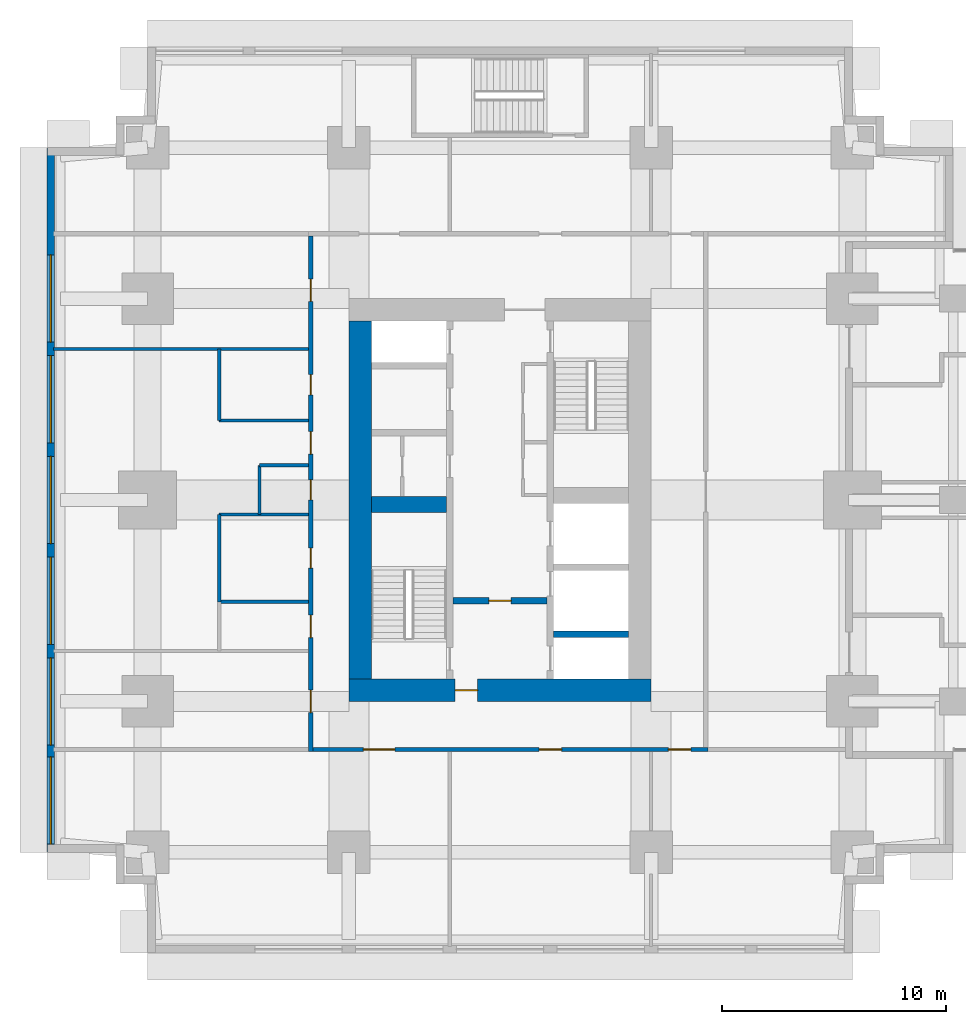
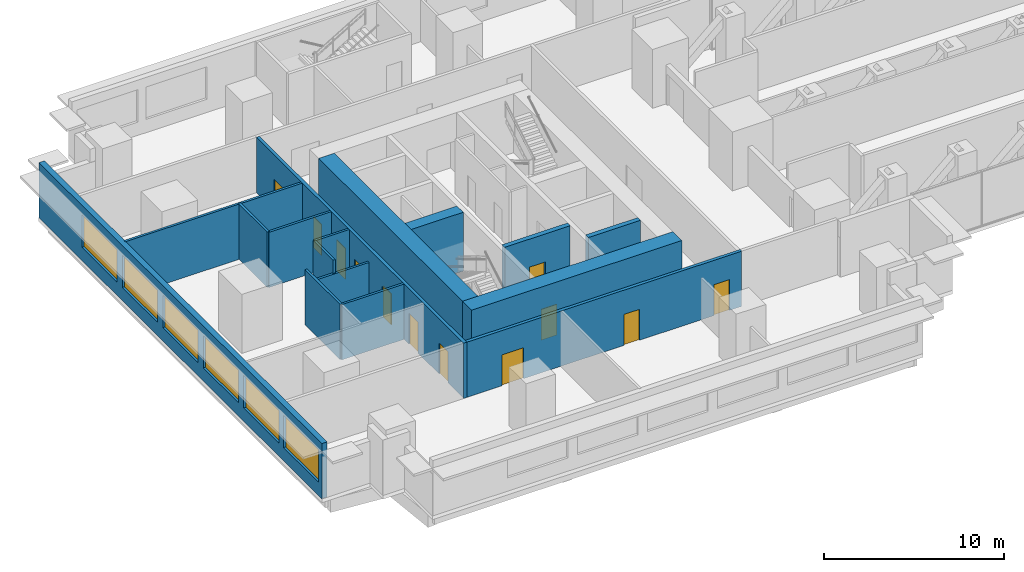
# One storey, part 7 of 16: 16 walls, 12 doors, 6 windows, 18 openings.
"""IFC4 building model written with IfcOpenShell, lengths in metres."""

from ifc_helpers import new_model, si_unit, direction, frame, frame_2d, origin, place, context, subcontext, project, spatial, rectangle, extrude, material, layer, layer_set, type_object, element, fill, save


model = new_model("IFC4")

# Units and contexts
model_context = context("Model", 3, precision=1e-05, world=origin(), true_north=direction((0.0, 1.0)))
body_context = subcontext(model_context, "Body", "Model", "MODEL_VIEW")
ifc_project = project(units=[si_unit("LENGTHUNIT", "METRE"), si_unit("AREAUNIT", "SQUARE_METRE"), si_unit("VOLUMEUNIT", "CUBIC_METRE"), si_unit("PLANEANGLEUNIT", "RADIAN"), si_unit("MASSUNIT", "GRAM", prefix="KILO")], contexts=[model_context])

# Site, building, storey
site_placement = place(None, origin())
site = spatial("IfcSite", under=ifc_project, at=site_placement, CompositionType="ELEMENT")
building_placement = place(site_placement, origin())
building = spatial("IfcBuilding", under=site, at=building_placement, Name="Namib Vertical Campus", CompositionType="ELEMENT")
storey_placement = place(building_placement, frame((0.0, 0.0, 125.0)))
storey = spatial("IfcBuildingStorey", under=building, at=storey_placement, Name="L29", CompositionType="ELEMENT", Elevation=125.0)

# Wall, opening, door
ifc_material_1 = material(Name="Concrete C60/75", Category="concrete")
ifc_layer_1 = layer(ifc_material_1, 0.300048828125)
ifc_layer_set_1 = layer_set([ifc_layer_1], Name="Concrete C60/75")
wall_type_1 = type_object("IfcWallType", Name="Core inner wall 300", PredefinedType="SHEAR", material=ifc_layer_set_1)
wall_1_placement = place(storey_placement, frame((18.14990234375, 15.75, 0.0), z_axis=(0.0, 0.0, 1.0), x_axis=(1.0, 0.0, 0.0)))
wall_1 = element("IfcWall", 1, at=wall_1_placement, inside=storey, type_object=wall_type_1, Name="Core inner wall A L29 W4", PredefinedType="SHEAR", context=body_context, shape_type="SweptSolid", body=[
    extrude(rectangle(XDim=4.2001953125, YDim=0.300048828125, at=frame_2d((2.10009765625, 0.0))), origin(), (0.0, 0.0, 1.0), 4.0),
])
opening_1_placement = place(wall_1_placement, frame((1.60009765625, 0.0, 0.0)))
opening_1 = element("IfcOpeningElement", 2, at=opening_1_placement, cuts=wall_1, Name="Opening FD5", PredefinedType="OPENING", context=body_context, shape_type="SweptSolid", body=[
    extrude(rectangle(XDim=1.0, YDim=2.10009765625, at=frame_2d((0.5, 1.050048828125))), frame((0.0, 0.159912109375, 0.0), z_axis=(0.0, -1.0, 0.0), x_axis=(1.0, 0.0, 0.0)), (0.0, 0.0, 1.0), 0.320068359375),
])
ifc_material_2 = material(Name="Steel fire door", Category="steel")
door_type_1 = type_object("IfcDoorType", Name="Fire door 1000x2100 120 min", OperationType="SINGLE_SWING_RIGHT", PredefinedType="DOOR", material=ifc_material_2)
door_1_placement = place(opening_1_placement, frame((1.0, 0.0, 0.0), z_axis=(0.0, 0.0, 1.0), x_axis=(-1.0, 0.0, 0.0)))
door_1 = element("IfcDoor", 3, at=door_1_placement, inside=storey, type_object=door_type_1, Name="Lobby door FD5 A L29", OperationType="SINGLE_SWING_RIGHT", OverallHeight=2.10009765625, OverallWidth=1.0, PredefinedType="DOOR", context=body_context, shape_type="SweptSolid", body=[
    extrude(rectangle(XDim=1.0, YDim=2.10009765625, at=frame_2d((0.5, 1.050048828125))), frame((0.0, 0.02490234375, 0.0), z_axis=(0.0, -1.0, 0.0), x_axis=(1.0, 0.0, 0.0)), (0.0, 0.0, 1.0), 0.050048828125),
])
fill(opening_1, door_1)

# Walls
wall_2_placement = place(storey_placement, frame((22.64990234375, 14.25, 0.0), z_axis=(0.0, 0.0, 1.0), x_axis=(1.0, 0.0, 0.0)))
element("IfcWall", 4, at=wall_2_placement, inside=storey, type_object=wall_type_1, Name="Core inner wall A L29 W5", PredefinedType="SHEAR", context=body_context, shape_type="SweptSolid", body=[
    extrude(rectangle(XDim=3.35009765625, YDim=0.300048828125, at=frame_2d((1.675048828125, 0.0))), origin(), (0.0, 0.0, 1.0), 4.0),
])
ifc_material_3 = material(Name="Concrete C60/75", Category="concrete")
ifc_layer_2 = layer(ifc_material_3, 0.699951171875)
ifc_layer_set_2 = layer_set([ifc_layer_2], Name="Concrete C60/75")
wall_type_2 = type_object("IfcWallType", Name="Core shear wall 700", PredefinedType="SHEAR", material=ifc_layer_set_2)
wall_3_placement = place(storey_placement, frame((14.5, 20.050048828125, 0.0), z_axis=(0.0, 0.0, 1.0), x_axis=(1.0, 0.0, 0.0)))
element("IfcWall", 5, at=wall_3_placement, inside=storey, type_object=wall_type_2, Name="Core shear wall A L29 W3", PredefinedType="SHEAR", context=body_context, shape_type="SweptSolid", body=[
    extrude(rectangle(XDim=3.35009765625, YDim=0.699951171875, at=frame_2d((1.675048828125, 0.0))), origin(), (0.0, 0.0, 1.0), 4.0),
])

# Wall, opening, door
ifc_material_4 = material(Name="Concrete C60/75", Category="concrete")
ifc_layer_3 = layer(ifc_material_4, 1.0)
ifc_layer_set_3 = layer_set([ifc_layer_3], Name="Concrete C60/75")
wall_type_3 = type_object("IfcWallType", Name="Core wall 1000", PredefinedType="SHEAR", material=ifc_layer_set_3)
wall_4_placement = place(storey_placement, frame((13.5, 11.75, 0.0), z_axis=(0.0, 0.0, 1.0), x_axis=(1.0, 0.0, 0.0)))
wall_4 = element("IfcWall", 6, at=wall_4_placement, inside=storey, type_object=wall_type_3, Name="Core wall A L29 1", PredefinedType="SHEAR", context=body_context, shape_type="SweptSolid", body=[
    extrude(rectangle(XDim=13.5, YDim=1.0, at=frame_2d((6.75, 0.0))), origin(), (0.0, 0.0, 1.0), 4.0),
])
opening_2_placement = place(wall_4_placement, frame((4.75, 0.0, 0.0)))
opening_2 = element("IfcOpeningElement", 7, at=opening_2_placement, cuts=wall_4, Name="Opening FD5", PredefinedType="OPENING", context=body_context, shape_type="SweptSolid", body=[
    extrude(rectangle(XDim=1.0, YDim=2.10009765625, at=frame_2d((0.5, 1.050048828125))), frame((0.0, 0.510009765625, 0.0), z_axis=(0.0, -1.0, 0.0), x_axis=(1.0, 0.0, 0.0)), (0.0, 0.0, 1.0), 1.02001953125),
])
door_2_placement = place(opening_2_placement, origin())
door_2 = element("IfcDoor", 8, at=door_2_placement, inside=storey, type_object=door_type_1, Name="Firefighting lobby door FD5 A L29", OperationType="SINGLE_SWING_LEFT", OverallHeight=2.10009765625, OverallWidth=1.0, PredefinedType="DOOR", context=body_context, shape_type="SweptSolid", body=[
    extrude(rectangle(XDim=1.0, YDim=2.10009765625, at=frame_2d((0.5, 1.050048828125))), frame((0.0, 0.02490234375, 0.0), z_axis=(0.0, -1.0, 0.0), x_axis=(1.0, 0.0, 0.0)), (0.0, 0.0, 1.0), 0.050048828125),
])
fill(opening_2, door_2)

# Wall
wall_5_placement = place(storey_placement, frame((14.0, 28.25, 0.0), z_axis=(0.0, 0.0, 1.0), x_axis=(0.0, -1.0, 0.0)))
element("IfcWall", 9, at=wall_5_placement, inside=storey, type_object=wall_type_3, Name="Core wall A L29 4", PredefinedType="SHEAR", context=body_context, shape_type="SweptSolid", body=[
    extrude(rectangle(XDim=16.0, YDim=1.0, at=frame_2d((8.0, 0.0))), origin(), (0.0, 0.0, 1.0), 4.0),
])

# Wall, openings, doors
ifc_material_5 = material(Name="Concrete masonry", Category="masonry")
ifc_layer_4 = layer(ifc_material_5, 0.199951171875)
ifc_layer_set_4 = layer_set([ifc_layer_4], Name="Corridor wall 200")
wall_type_4 = type_object("IfcWallType", Name="Corridor wall 200", PredefinedType="SOLIDWALL", material=ifc_layer_set_4)
wall_6_placement = place(storey_placement, frame((11.89990234375, 9.10009765625, 0.0), z_axis=(0.0, 0.0, 1.0), x_axis=(1.0, 0.0, 0.0)))
wall_6 = element("IfcWall", 10, at=wall_6_placement, inside=storey, type_object=wall_type_4, Name="Corridor wall A L29 CS", PredefinedType="SOLIDWALL", context=body_context, shape_type="SweptSolid", body=[
    extrude(rectangle(XDim=17.650146484375, YDim=0.199951171875, at=frame_2d((8.8251953125, 0.0))), origin(), (0.0, 0.0, 1.0), 3.75),
])
opening_3_placement = place(wall_6_placement, frame((2.25, 0.0, 0.0)))
opening_3 = element("IfcOpeningElement", 11, at=opening_3_placement, cuts=wall_6, Name="Opening LB1", PredefinedType="OPENING", context=body_context, shape_type="SweptSolid", body=[
    extrude(rectangle(XDim=1.39990234375, YDim=2.10009765625, at=frame_2d((0.699951171875, 1.050048828125))), frame((0.0, 0.10986328125, 0.0), z_axis=(0.0, -1.0, 0.0), x_axis=(1.0, 0.0, 0.0)), (0.0, 0.0, 1.0), 0.219970703125),
])
opening_4_placement = place(wall_6_placement, frame((10.10009765625, 0.0, 0.0)))
opening_4 = element("IfcOpeningElement", 12, at=opening_4_placement, cuts=wall_6, Name="Opening CD1", PredefinedType="OPENING", context=body_context, shape_type="SweptSolid", body=[
    extrude(rectangle(XDim=1.0, YDim=2.10009765625, at=frame_2d((0.5, 1.050048828125))), frame((0.0, 0.10986328125, 0.0), z_axis=(0.0, -1.0, 0.0), x_axis=(1.0, 0.0, 0.0)), (0.0, 0.0, 1.0), 0.219970703125),
])
opening_5_placement = place(wall_6_placement, frame((15.875, 0.0, 0.0)))
opening_5 = element("IfcOpeningElement", 13, at=opening_5_placement, cuts=wall_6, Name="Opening CD1", PredefinedType="OPENING", context=body_context, shape_type="SweptSolid", body=[
    extrude(rectangle(XDim=1.0, YDim=2.10009765625, at=frame_2d((0.5, 1.050048828125))), frame((0.0, 0.10986328125, 0.0), z_axis=(0.0, -1.0, 0.0), x_axis=(1.0, 0.0, 0.0)), (0.0, 0.0, 1.0), 0.219970703125),
])
ifc_material_6 = material(Name="Timber fire door leaf", Category="wood")
door_type_2 = type_object("IfcDoorType", Name="Corridor door 1000x2100 20 min", OperationType="SINGLE_SWING_LEFT", PredefinedType="DOOR", material=ifc_material_6)
door_3_placement = place(opening_4_placement, frame((1.0, 0.0, 0.0), z_axis=(0.0, 0.0, 1.0), x_axis=(-1.0, 0.0, 0.0)))
door_3 = element("IfcDoor", 14, at=door_3_placement, inside=storey, type_object=door_type_2, Name="Door CD1 A29-02", OperationType="SINGLE_SWING_RIGHT", OverallHeight=2.10009765625, OverallWidth=1.0, PredefinedType="DOOR", context=body_context, shape_type="SweptSolid", body=[
    extrude(rectangle(XDim=1.0, YDim=2.10009765625, at=frame_2d((0.5, 1.050048828125))), frame((0.0, 0.02490234375, 0.0), z_axis=(0.0, -1.0, 0.0), x_axis=(1.0, 0.0, 0.0)), (0.0, 0.0, 1.0), 0.050048828125),
])
fill(opening_4, door_3)
door_4_placement = place(opening_5_placement, frame((1.0, 0.0, 0.0), z_axis=(0.0, 0.0, 1.0), x_axis=(-1.0, 0.0, 0.0)))
door_4 = element("IfcDoor", 15, at=door_4_placement, inside=storey, type_object=door_type_2, Name="Door CD1 A29-03", OperationType="SINGLE_SWING_RIGHT", OverallHeight=2.10009765625, OverallWidth=1.0, PredefinedType="DOOR", context=body_context, shape_type="SweptSolid", body=[
    extrude(rectangle(XDim=1.0, YDim=2.10009765625, at=frame_2d((0.5, 1.050048828125))), frame((0.0, 0.02490234375, 0.0), z_axis=(0.0, -1.0, 0.0), x_axis=(1.0, 0.0, 0.0)), (0.0, 0.0, 1.0), 0.050048828125),
])
fill(opening_5, door_4)
ifc_material_7 = material(Name="Timber fire door leaf", Category="wood")
door_type_3 = type_object("IfcDoorType", Name="Laboratory door 1400x2100 leaf and a half", OperationType="DOUBLE_DOOR_SINGLE_SWING", PredefinedType="DOOR", material=ifc_material_7)
door_5_placement = place(opening_3_placement, frame((1.39990234375, 0.0, 0.0), z_axis=(0.0, 0.0, 1.0), x_axis=(-1.0, 0.0, 0.0)))
door_5 = element("IfcDoor", 16, at=door_5_placement, inside=storey, type_object=door_type_3, Name="Door LB1 A29-01", OperationType="DOUBLE_DOOR_SINGLE_SWING", OverallHeight=2.10009765625, OverallWidth=1.39990234375, PredefinedType="DOOR", context=body_context, shape_type="SweptSolid", body=[
    extrude(rectangle(XDim=1.39990234375, YDim=2.10009765625, at=frame_2d((0.699951171875, 1.050048828125))), frame((0.0, 0.02490234375, 0.0), z_axis=(0.0, -1.0, 0.0), x_axis=(1.0, 0.0, 0.0)), (0.0, 0.0, 1.0), 0.050048828125),
])
fill(opening_3, door_5)

wall_7_placement = place(storey_placement, frame((11.800048828125, 32.050048828125, 0.0), z_axis=(0.0, 0.0, 1.0), x_axis=(0.0, -1.0, 0.0)))
wall_7 = element("IfcWall", 17, at=wall_7_placement, inside=storey, type_object=wall_type_4, Name="Corridor wall A L29 CW", PredefinedType="SOLIDWALL", context=body_context, shape_type="SweptSolid", body=[
    extrude(rectangle(XDim=23.050048828125, YDim=0.199951171875, at=frame_2d((11.52490234375, 0.0))), origin(), (0.0, 0.0, 1.0), 3.75),
])
opening_6_placement = place(wall_7_placement, frame((20.300048828125, 0.0, 0.0)))
opening_6 = element("IfcOpeningElement", 18, at=opening_6_placement, cuts=wall_7, Name="Opening CD1", PredefinedType="OPENING", context=body_context, shape_type="SweptSolid", body=[
    extrude(rectangle(XDim=1.0, YDim=2.10009765625, at=frame_2d((0.5, 1.050048828125))), frame((0.0, 0.10986328125, 0.0), z_axis=(0.0, -1.0, 0.0), x_axis=(1.0, 0.0, 0.0)), (0.0, 0.0, 1.0), 0.219970703125),
])
opening_7_placement = place(wall_7_placement, frame((16.949951171875, 0.0, 0.0)))
opening_7 = element("IfcOpeningElement", 19, at=opening_7_placement, cuts=wall_7, Name="Opening CD1", PredefinedType="OPENING", context=body_context, shape_type="SweptSolid", body=[
    extrude(rectangle(XDim=1.0, YDim=2.10009765625, at=frame_2d((0.5, 1.050048828125))), frame((0.0, 0.10986328125, 0.0), z_axis=(0.0, -1.0, 0.0), x_axis=(1.0, 0.0, 0.0)), (0.0, 0.0, 1.0), 0.219970703125),
])
opening_8_placement = place(wall_7_placement, frame((13.949951171875, 0.0, 0.0)))
opening_8 = element("IfcOpeningElement", 20, at=opening_8_placement, cuts=wall_7, Name="Opening CD3", PredefinedType="OPENING", context=body_context, shape_type="SweptSolid", body=[
    extrude(rectangle(XDim=0.89990234375, YDim=2.10009765625, at=frame_2d((0.449951171875, 1.050048828125))), frame((0.0, 0.10986328125, 0.0), z_axis=(0.0, -1.0, 0.0), x_axis=(1.0, 0.0, 0.0)), (0.0, 0.0, 1.0), 0.219970703125),
])
opening_9_placement = place(wall_7_placement, frame((10.89990234375, 0.0, 0.0)))
opening_9 = element("IfcOpeningElement", 21, at=opening_9_placement, cuts=wall_7, Name="Opening CD3", PredefinedType="OPENING", context=body_context, shape_type="SweptSolid", body=[
    extrude(rectangle(XDim=0.89990234375, YDim=2.10009765625, at=frame_2d((0.449951171875, 1.050048828125))), frame((0.0, 0.10986328125, 0.0), z_axis=(0.0, -1.0, 0.0), x_axis=(1.0, 0.0, 0.0)), (0.0, 0.0, 1.0), 0.219970703125),
])
opening_10_placement = place(wall_7_placement, frame((6.199951171875, 0.0, 0.0)))
opening_10 = element("IfcOpeningElement", 22, at=opening_10_placement, cuts=wall_7, Name="Opening CD3", PredefinedType="OPENING", context=body_context, shape_type="SweptSolid", body=[
    extrude(rectangle(XDim=0.89990234375, YDim=2.10009765625, at=frame_2d((0.449951171875, 1.050048828125))), frame((0.0, 0.10986328125, 0.0), z_axis=(0.0, -1.0, 0.0), x_axis=(1.0, 0.0, 0.0)), (0.0, 0.0, 1.0), 0.219970703125),
])
opening_11_placement = place(wall_7_placement, frame((8.75, 0.0, 0.0)))
opening_11 = element("IfcOpeningElement", 23, at=opening_11_placement, cuts=wall_7, Name="Opening CD1", PredefinedType="OPENING", context=body_context, shape_type="SweptSolid", body=[
    extrude(rectangle(XDim=1.0, YDim=2.10009765625, at=frame_2d((0.5, 1.050048828125))), frame((0.0, 0.10986328125, 0.0), z_axis=(0.0, -1.0, 0.0), x_axis=(1.0, 0.0, 0.0)), (0.0, 0.0, 1.0), 0.219970703125),
])
opening_12_placement = place(wall_7_placement, frame((1.925048828125, 0.0, 0.0)))
opening_12 = element("IfcOpeningElement", 24, at=opening_12_placement, cuts=wall_7, Name="Opening CD1", PredefinedType="OPENING", context=body_context, shape_type="SweptSolid", body=[
    extrude(rectangle(XDim=1.0, YDim=2.10009765625, at=frame_2d((0.5, 1.050048828125))), frame((0.0, 0.10986328125, 0.0), z_axis=(0.0, -1.0, 0.0), x_axis=(1.0, 0.0, 0.0)), (0.0, 0.0, 1.0), 0.219970703125),
])
door_6_placement = place(opening_6_placement, frame((1.0, 0.0, 0.0), z_axis=(0.0, 0.0, 1.0), x_axis=(-1.0, 0.0, 0.0)))
door_6 = element("IfcDoor", 25, at=door_6_placement, inside=storey, type_object=door_type_2, Name="Door CD1 A29-08", OperationType="SINGLE_SWING_RIGHT", OverallHeight=2.10009765625, OverallWidth=1.0, PredefinedType="DOOR", context=body_context, shape_type="SweptSolid", body=[
    extrude(rectangle(XDim=1.0, YDim=2.10009765625, at=frame_2d((0.5, 1.050048828125))), frame((0.0, 0.02490234375, 0.0), z_axis=(0.0, -1.0, 0.0), x_axis=(1.0, 0.0, 0.0)), (0.0, 0.0, 1.0), 0.050048828125),
])
fill(opening_6, door_6)
door_7_placement = place(opening_7_placement, frame((1.0, 0.0, 0.0), z_axis=(0.0, 0.0, 1.0), x_axis=(-1.0, 0.0, 0.0)))
door_7 = element("IfcDoor", 26, at=door_7_placement, inside=storey, type_object=door_type_2, Name="Door CD1 A29-09", OperationType="SINGLE_SWING_RIGHT", OverallHeight=2.10009765625, OverallWidth=1.0, PredefinedType="DOOR", context=body_context, shape_type="SweptSolid", body=[
    extrude(rectangle(XDim=1.0, YDim=2.10009765625, at=frame_2d((0.5, 1.050048828125))), frame((0.0, 0.02490234375, 0.0), z_axis=(0.0, -1.0, 0.0), x_axis=(1.0, 0.0, 0.0)), (0.0, 0.0, 1.0), 0.050048828125),
])
fill(opening_7, door_7)
door_8_placement = place(opening_11_placement, frame((1.0, 0.0, 0.0), z_axis=(0.0, 0.0, 1.0), x_axis=(-1.0, 0.0, 0.0)))
door_8 = element("IfcDoor", 27, at=door_8_placement, inside=storey, type_object=door_type_2, Name="Door CD1 A29-13", OperationType="SINGLE_SWING_RIGHT", OverallHeight=2.10009765625, OverallWidth=1.0, PredefinedType="DOOR", context=body_context, shape_type="SweptSolid", body=[
    extrude(rectangle(XDim=1.0, YDim=2.10009765625, at=frame_2d((0.5, 1.050048828125))), frame((0.0, 0.02490234375, 0.0), z_axis=(0.0, -1.0, 0.0), x_axis=(1.0, 0.0, 0.0)), (0.0, 0.0, 1.0), 0.050048828125),
])
fill(opening_11, door_8)
door_9_placement = place(opening_12_placement, frame((1.0, 0.0, 0.0), z_axis=(0.0, 0.0, 1.0), x_axis=(-1.0, 0.0, 0.0)))
door_9 = element("IfcDoor", 28, at=door_9_placement, inside=storey, type_object=door_type_2, Name="Door CD1 A29-14", OperationType="SINGLE_SWING_RIGHT", OverallHeight=2.10009765625, OverallWidth=1.0, PredefinedType="DOOR", context=body_context, shape_type="SweptSolid", body=[
    extrude(rectangle(XDim=1.0, YDim=2.10009765625, at=frame_2d((0.5, 1.050048828125))), frame((0.0, 0.02490234375, 0.0), z_axis=(0.0, -1.0, 0.0), x_axis=(1.0, 0.0, 0.0)), (0.0, 0.0, 1.0), 0.050048828125),
])
fill(opening_12, door_9)
ifc_material_8 = material(Name="Timber fire door leaf", Category="wood")
door_type_4 = type_object("IfcDoorType", Name="Corridor toilet door 900x2100 20 min", OperationType="SINGLE_SWING_LEFT", PredefinedType="DOOR", material=ifc_material_8)
door_10_placement = place(opening_8_placement, frame((0.89990234375, 0.0, 0.0), z_axis=(0.0, 0.0, 1.0), x_axis=(-1.0, 0.0, 0.0)))
door_10 = element("IfcDoor", 29, at=door_10_placement, inside=storey, type_object=door_type_4, Name="Door CD3 A29-10", OperationType="SINGLE_SWING_RIGHT", OverallHeight=2.10009765625, OverallWidth=0.89990234375, PredefinedType="DOOR", context=body_context, shape_type="SweptSolid", body=[
    extrude(rectangle(XDim=0.89990234375, YDim=2.10009765625, at=frame_2d((0.449951171875, 1.050048828125))), frame((0.0, 0.02490234375, 0.0), z_axis=(0.0, -1.0, 0.0), x_axis=(1.0, 0.0, 0.0)), (0.0, 0.0, 1.0), 0.050048828125),
])
fill(opening_8, door_10)
door_11_placement = place(opening_9_placement, frame((0.89990234375, 0.0, 0.0), z_axis=(0.0, 0.0, 1.0), x_axis=(-1.0, 0.0, 0.0)))
door_11 = element("IfcDoor", 30, at=door_11_placement, inside=storey, type_object=door_type_4, Name="Door CD3 A29-11", OperationType="SINGLE_SWING_RIGHT", OverallHeight=2.10009765625, OverallWidth=0.89990234375, PredefinedType="DOOR", context=body_context, shape_type="SweptSolid", body=[
    extrude(rectangle(XDim=0.89990234375, YDim=2.10009765625, at=frame_2d((0.449951171875, 1.050048828125))), frame((0.0, 0.02490234375, 0.0), z_axis=(0.0, -1.0, 0.0), x_axis=(1.0, 0.0, 0.0)), (0.0, 0.0, 1.0), 0.050048828125),
])
fill(opening_9, door_11)
door_12_placement = place(opening_10_placement, frame((0.89990234375, 0.0, 0.0), z_axis=(0.0, 0.0, 1.0), x_axis=(-1.0, 0.0, 0.0)))
door_12 = element("IfcDoor", 31, at=door_12_placement, inside=storey, type_object=door_type_4, Name="Door CD3 A29-12", OperationType="SINGLE_SWING_RIGHT", OverallHeight=2.10009765625, OverallWidth=0.89990234375, PredefinedType="DOOR", context=body_context, shape_type="SweptSolid", body=[
    extrude(rectangle(XDim=0.89990234375, YDim=2.10009765625, at=frame_2d((0.449951171875, 1.050048828125))), frame((0.0, 0.02490234375, 0.0), z_axis=(0.0, -1.0, 0.0), x_axis=(1.0, 0.0, 0.0)), (0.0, 0.0, 1.0), 0.050048828125),
])
fill(opening_10, door_12)

# Wall, openings, windows
ifc_material_9 = material(Name="Concrete C40/50", Category="concrete")
ifc_layer_5 = layer(ifc_material_9, 0.35009765625)
ifc_layer_set_5 = layer_set([ifc_layer_5], Name="Concrete C40/50")
wall_type_5 = type_object("IfcWallType", Name="External wall 350 bush-hammered concrete", PredefinedType="STANDARD", material=ifc_layer_set_5)
wall_8_placement = place(storey_placement, frame((0.175048828125, 35.97998046875, 0.0), z_axis=(0.0, 0.0, 1.0), x_axis=(0.0, -1.0, 0.0)))
wall_8 = element("IfcWall", 32, at=wall_8_placement, inside=storey, type_object=wall_type_5, Name="External wall L29 F21", PredefinedType="STANDARD", context=body_context, shape_type="SweptSolid", body=[
    extrude(rectangle(XDim=31.4599609375, YDim=0.35009765625, at=frame_2d((15.72998046875, 0.0))), origin(), (0.0, 0.0, 1.0), 3.75),
])
opening_13_placement = place(wall_8_placement, frame((27.2099609375, 0.0, 0.89990234375)))
opening_13 = element("IfcOpeningElement", 33, at=opening_13_placement, cuts=wall_8, Name="Opening W1", PredefinedType="OPENING", context=body_context, shape_type="SweptSolid", body=[
    extrude(rectangle(XDim=3.89990234375, YDim=2.199951171875, at=frame_2d((1.949951171875, 1.10009765625))), frame((0.0, 0.18505859375, 0.0), z_axis=(0.0, -1.0, 0.0), x_axis=(1.0, 0.0, 0.0)), (0.0, 0.0, 1.0), 0.3701171875),
])
opening_14_placement = place(wall_8_placement, frame((22.780029296875, 0.0, 0.89990234375)))
opening_14 = element("IfcOpeningElement", 34, at=opening_14_placement, cuts=wall_8, Name="Opening W1", PredefinedType="OPENING", context=body_context, shape_type="SweptSolid", body=[
    extrude(rectangle(XDim=3.89990234375, YDim=2.199951171875, at=frame_2d((1.949951171875, 1.10009765625))), frame((0.0, 0.18505859375, 0.0), z_axis=(0.0, -1.0, 0.0), x_axis=(1.0, 0.0, 0.0)), (0.0, 0.0, 1.0), 0.3701171875),
])
opening_15_placement = place(wall_8_placement, frame((18.280029296875, 0.0, 0.89990234375)))
opening_15 = element("IfcOpeningElement", 35, at=opening_15_placement, cuts=wall_8, Name="Opening W1", PredefinedType="OPENING", context=body_context, shape_type="SweptSolid", body=[
    extrude(rectangle(XDim=3.89990234375, YDim=2.199951171875, at=frame_2d((1.949951171875, 1.10009765625))), frame((0.0, 0.18505859375, 0.0), z_axis=(0.0, -1.0, 0.0), x_axis=(1.0, 0.0, 0.0)), (0.0, 0.0, 1.0), 0.3701171875),
])
opening_16_placement = place(wall_8_placement, frame((13.780029296875, 0.0, 0.89990234375)))
opening_16 = element("IfcOpeningElement", 36, at=opening_16_placement, cuts=wall_8, Name="Opening W1", PredefinedType="OPENING", context=body_context, shape_type="SweptSolid", body=[
    extrude(rectangle(XDim=3.89990234375, YDim=2.199951171875, at=frame_2d((1.949951171875, 1.10009765625))), frame((0.0, 0.18505859375, 0.0), z_axis=(0.0, -1.0, 0.0), x_axis=(1.0, 0.0, 0.0)), (0.0, 0.0, 1.0), 0.3701171875),
])
opening_17_placement = place(wall_8_placement, frame((9.280029296875, 0.0, 0.89990234375)))
opening_17 = element("IfcOpeningElement", 37, at=opening_17_placement, cuts=wall_8, Name="Opening W1", PredefinedType="OPENING", context=body_context, shape_type="SweptSolid", body=[
    extrude(rectangle(XDim=3.89990234375, YDim=2.199951171875, at=frame_2d((1.949951171875, 1.10009765625))), frame((0.0, 0.18505859375, 0.0), z_axis=(0.0, -1.0, 0.0), x_axis=(1.0, 0.0, 0.0)), (0.0, 0.0, 1.0), 0.3701171875),
])
opening_18_placement = place(wall_8_placement, frame((4.780029296875, 0.0, 0.89990234375)))
opening_18 = element("IfcOpeningElement", 38, at=opening_18_placement, cuts=wall_8, Name="Opening W1", PredefinedType="OPENING", context=body_context, shape_type="SweptSolid", body=[
    extrude(rectangle(XDim=3.89990234375, YDim=2.199951171875, at=frame_2d((1.949951171875, 1.10009765625))), frame((0.0, 0.18505859375, 0.0), z_axis=(0.0, -1.0, 0.0), x_axis=(1.0, 0.0, 0.0)), (0.0, 0.0, 1.0), 0.3701171875),
])
ifc_material_10 = material(Name="Dark tinted glass in black aluminium frame", Category="aluminium")
window_type = type_object("IfcWindowType", Name="Ribbon window 3900x2200", PartitioningType="SINGLE_PANEL", PredefinedType="WINDOW", material=ifc_material_10)
window_1_placement = place(opening_13_placement, origin())
window_1 = element("IfcWindow", 39, at=window_1_placement, inside=storey, type_object=window_type, Name="Window W1 L29 F21-1", OverallHeight=2.199951171875, OverallWidth=3.89990234375, PartitioningType="SINGLE_PANEL", PredefinedType="WINDOW", context=body_context, shape_type="SweptSolid", body=[
    extrude(rectangle(XDim=3.89990234375, YDim=2.199951171875, at=frame_2d((1.949951171875, 1.10009765625))), frame((0.0, 0.030029296875, 0.0), z_axis=(0.0, -1.0, 0.0), x_axis=(1.0, 0.0, 0.0)), (0.0, 0.0, 1.0), 0.06005859375),
])
fill(opening_13, window_1)
window_2_placement = place(opening_14_placement, origin())
window_2 = element("IfcWindow", 40, at=window_2_placement, inside=storey, type_object=window_type, Name="Window W1 L29 F21-2", OverallHeight=2.199951171875, OverallWidth=3.89990234375, PartitioningType="SINGLE_PANEL", PredefinedType="WINDOW", context=body_context, shape_type="SweptSolid", body=[
    extrude(rectangle(XDim=3.89990234375, YDim=2.199951171875, at=frame_2d((1.949951171875, 1.10009765625))), frame((0.0, 0.030029296875, 0.0), z_axis=(0.0, -1.0, 0.0), x_axis=(1.0, 0.0, 0.0)), (0.0, 0.0, 1.0), 0.06005859375),
])
fill(opening_14, window_2)
window_3_placement = place(opening_15_placement, origin())
window_3 = element("IfcWindow", 41, at=window_3_placement, inside=storey, type_object=window_type, Name="Window W1 L29 F21-3", OverallHeight=2.199951171875, OverallWidth=3.89990234375, PartitioningType="SINGLE_PANEL", PredefinedType="WINDOW", context=body_context, shape_type="SweptSolid", body=[
    extrude(rectangle(XDim=3.89990234375, YDim=2.199951171875, at=frame_2d((1.949951171875, 1.10009765625))), frame((0.0, 0.030029296875, 0.0), z_axis=(0.0, -1.0, 0.0), x_axis=(1.0, 0.0, 0.0)), (0.0, 0.0, 1.0), 0.06005859375),
])
fill(opening_15, window_3)
window_4_placement = place(opening_16_placement, origin())
window_4 = element("IfcWindow", 42, at=window_4_placement, inside=storey, type_object=window_type, Name="Window W1 L29 F21-4", OverallHeight=2.199951171875, OverallWidth=3.89990234375, PartitioningType="SINGLE_PANEL", PredefinedType="WINDOW", context=body_context, shape_type="SweptSolid", body=[
    extrude(rectangle(XDim=3.89990234375, YDim=2.199951171875, at=frame_2d((1.949951171875, 1.10009765625))), frame((0.0, 0.030029296875, 0.0), z_axis=(0.0, -1.0, 0.0), x_axis=(1.0, 0.0, 0.0)), (0.0, 0.0, 1.0), 0.06005859375),
])
fill(opening_16, window_4)
window_5_placement = place(opening_17_placement, origin())
window_5 = element("IfcWindow", 43, at=window_5_placement, inside=storey, type_object=window_type, Name="Window W1 L29 F21-5", OverallHeight=2.199951171875, OverallWidth=3.89990234375, PartitioningType="SINGLE_PANEL", PredefinedType="WINDOW", context=body_context, shape_type="SweptSolid", body=[
    extrude(rectangle(XDim=3.89990234375, YDim=2.199951171875, at=frame_2d((1.949951171875, 1.10009765625))), frame((0.0, 0.030029296875, 0.0), z_axis=(0.0, -1.0, 0.0), x_axis=(1.0, 0.0, 0.0)), (0.0, 0.0, 1.0), 0.06005859375),
])
fill(opening_17, window_5)
window_6_placement = place(opening_18_placement, origin())
window_6 = element("IfcWindow", 44, at=window_6_placement, inside=storey, type_object=window_type, Name="Window W1 L29 F21-6", OverallHeight=2.199951171875, OverallWidth=3.89990234375, PartitioningType="SINGLE_PANEL", PredefinedType="WINDOW", context=body_context, shape_type="SweptSolid", body=[
    extrude(rectangle(XDim=3.89990234375, YDim=2.199951171875, at=frame_2d((1.949951171875, 1.10009765625))), frame((0.0, 0.030029296875, 0.0), z_axis=(0.0, -1.0, 0.0), x_axis=(1.0, 0.0, 0.0)), (0.0, 0.0, 1.0), 0.06005859375),
])
fill(opening_18, window_6)

# Walls
ifc_material_11 = material(Name="Gypsum board on steel studs", Category="steel")
ifc_layer_6 = layer(ifc_material_11, 0.14990234375)
ifc_layer_set_6 = layer_set([ifc_layer_6], Name="Gypsum board on steel studs")
wall_type_6 = type_object("IfcWallType", Name="Partition 150", PredefinedType="PARTITIONING", material=ifc_layer_set_6)
wall_9_placement = place(storey_placement, frame((0.300048828125, 27.0, 0.0), z_axis=(0.0, 0.0, 1.0), x_axis=(1.0, 0.0, 0.0)))
element("IfcWall", 45, at=wall_9_placement, inside=storey, type_object=wall_type_6, Name="Partition A L29 PW2", PredefinedType="PARTITIONING", context=body_context, shape_type="SweptSolid", body=[
    extrude(rectangle(XDim=11.39990234375, YDim=0.14990234375, at=frame_2d((5.699951171875, 0.0))), origin(), (0.0, 0.0, 1.0), 3.75),
])
wall_10_placement = place(storey_placement, frame((11.699951171875, 15.699951171875, 0.0), z_axis=(0.0, 0.0, 1.0), x_axis=(-1.0, 0.0, 0.0)))
element("IfcWall", 46, at=wall_10_placement, inside=storey, type_object=wall_type_6, Name="Partition A L29 WR1", PredefinedType="PARTITIONING", context=body_context, shape_type="SweptSolid", body=[
    extrude(rectangle(XDim=4.0, YDim=0.14990234375, at=frame_2d((2.0, 0.0))), origin(), (0.0, 0.0, 1.0), 3.75),
])
wall_11_placement = place(storey_placement, frame((11.699951171875, 19.60009765625, 0.0), z_axis=(0.0, 0.0, 1.0), x_axis=(-1.0, 0.0, 0.0)))
element("IfcWall", 47, at=wall_11_placement, inside=storey, type_object=wall_type_6, Name="Partition A L29 WR2", PredefinedType="PARTITIONING", context=body_context, shape_type="SweptSolid", body=[
    extrude(rectangle(XDim=4.0, YDim=0.14990234375, at=frame_2d((2.0, 0.0))), origin(), (0.0, 0.0, 1.0), 2.85009765625),
])
wall_12_placement = place(storey_placement, frame((11.699951171875, 21.800048828125, 0.0), z_axis=(0.0, 0.0, 1.0), x_axis=(-1.0, 0.0, 0.0)))
element("IfcWall", 48, at=wall_12_placement, inside=storey, type_object=wall_type_6, Name="Partition A L29 WR3", PredefinedType="PARTITIONING", context=body_context, shape_type="SweptSolid", body=[
    extrude(rectangle(XDim=2.199951171875, YDim=0.14990234375, at=frame_2d((1.10009765625, 0.0))), origin(), (0.0, 0.0, 1.0), 3.75),
])
wall_13_placement = place(storey_placement, frame((11.699951171875, 23.800048828125, 0.0), z_axis=(0.0, 0.0, 1.0), x_axis=(-1.0, 0.0, 0.0)))
element("IfcWall", 49, at=wall_13_placement, inside=storey, type_object=wall_type_6, Name="Partition A L29 WR4", PredefinedType="PARTITIONING", context=body_context, shape_type="SweptSolid", body=[
    extrude(rectangle(XDim=4.0, YDim=0.14990234375, at=frame_2d((2.0, 0.0))), origin(), (0.0, 0.0, 1.0), 3.75),
])
wall_14_placement = place(storey_placement, frame((7.699951171875, 15.699951171875, 0.0), z_axis=(0.0, 0.0, 1.0), x_axis=(0.0, 1.0, 0.0)))
element("IfcWall", 50, at=wall_14_placement, inside=storey, type_object=wall_type_6, Name="Partition A L29 WB2", PredefinedType="PARTITIONING", context=body_context, shape_type="SweptSolid", body=[
    extrude(rectangle(XDim=3.900146484375, YDim=0.14990234375, at=frame_2d((1.9501953125, 0.0))), origin(), (0.0, 0.0, 1.0), 3.75),
])
wall_15_placement = place(storey_placement, frame((9.5, 19.60009765625, 0.0), z_axis=(0.0, 0.0, 1.0), x_axis=(0.0, 1.0, 0.0)))
element("IfcWall", 51, at=wall_15_placement, inside=storey, type_object=wall_type_6, Name="Partition A L29 WB3", PredefinedType="PARTITIONING", context=body_context, shape_type="SweptSolid", body=[
    extrude(rectangle(XDim=2.199951171875, YDim=0.14990234375, at=frame_2d((1.10009765625, 0.0))), origin(), (0.0, 0.0, 1.0), 3.75),
])
wall_16_placement = place(storey_placement, frame((7.699951171875, 23.800048828125, 0.0), z_axis=(0.0, 0.0, 1.0), x_axis=(0.0, 1.0, 0.0)))
element("IfcWall", 52, at=wall_16_placement, inside=storey, type_object=wall_type_6, Name="Partition A L29 WB4", PredefinedType="PARTITIONING", context=body_context, shape_type="SweptSolid", body=[
    extrude(rectangle(XDim=3.199951171875, YDim=0.14990234375, at=frame_2d((1.60009765625, 0.0))), origin(), (0.0, 0.0, 1.0), 3.75),
])

save(model, "model.ifc")
